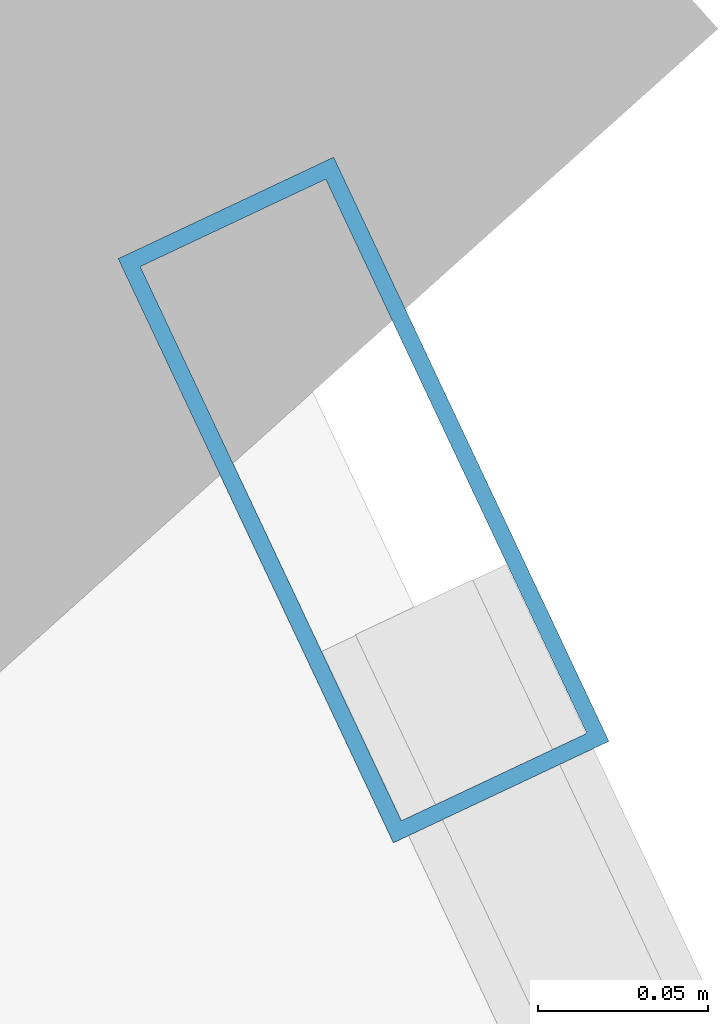
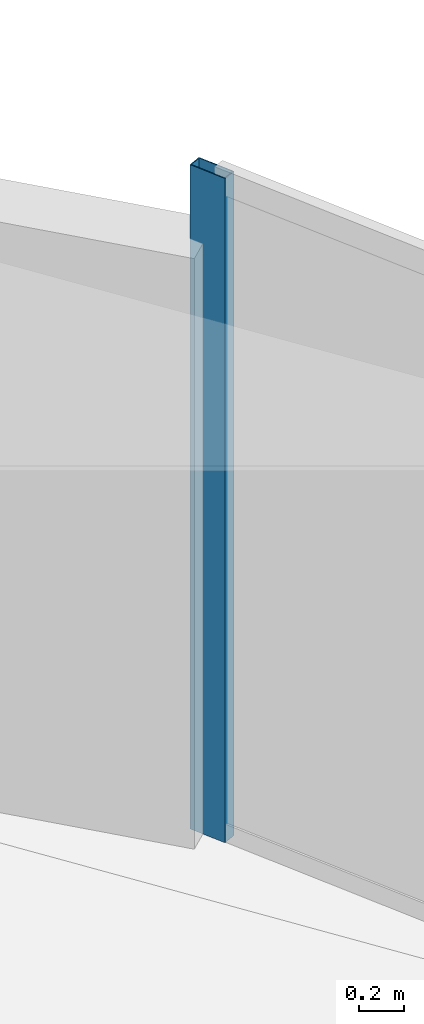
# One storey, part 17 of 24: 1 member, 1 element without a shape of its own.
"""IFC4 building model written with IfcOpenShell, lengths in metres."""

from ifc_helpers import new_model, si_unit, direction, frame, origin, origin_2d, place, context, subcontext, project, spatial, hollow_rectangle, extrude, source, transform, mapped, material, layer, layer_set, material_profile, profile_set, type_object, element, aggregate, save


model = new_model("IFC4")

# Units and contexts
model_context = context("Model", 3, precision=1e-05, world=origin(), true_north=direction((0.0, 1.0)))
body_context = subcontext(model_context, "Body", "Model", "MODEL_VIEW")
ifc_project = project(units=[si_unit("LENGTHUNIT", "METRE"), si_unit("AREAUNIT", "SQUARE_METRE"), si_unit("VOLUMEUNIT", "CUBIC_METRE"), si_unit("PLANEANGLEUNIT", "RADIAN"), si_unit("MASSUNIT", "GRAM", prefix="KILO")], contexts=[model_context])

# Site, building, storey
site_placement = place(None, origin())
site = spatial("IfcSite", under=ifc_project, at=site_placement, CompositionType="ELEMENT")
building_placement = place(site_placement, origin())
building = spatial("IfcBuilding", under=site, at=building_placement, Name="Solvirekh Grand Hotel", CompositionType="ELEMENT")
storey_placement = place(building_placement, frame((0.0, 0.0, 89.60009765625)))
storey = spatial("IfcBuildingStorey", under=building, at=storey_placement, Name="L22", CompositionType="ELEMENT", Elevation=89.60009765625)

# Curtain wall, member
ifc_material = material(Name="Anodized Bronze Aluminium 6063-T6", Category="aluminium")
ifc_layer = layer(ifc_material, 0.18994140625)
ifc_layer_set = layer_set([ifc_layer], Name="Anodized Bronze Aluminium 6063-T6")
curtain_wall_type = type_object("IfcCurtainWallType", Name="CW_Sys2_LowZoneFlushBronzeCW", PredefinedType="NOTDEFINED", material=ifc_layer_set)
curtain_wall_placement = place(storey_placement, origin())
curtain_wall = element("IfcCurtainWall", 1, at=curtain_wall_placement, inside=storey, type_object=curtain_wall_type, Name="L22 unitised bronze-glass curtain wall CW-L22-C03", PredefinedType="NOTDEFINED")
ifc_material_profile = material_profile(ifc_material, hollow_rectangle(XDim=0.070068359375, YDim=0.18994140625, WallThickness=0.0048828125, at=origin_2d()), Name="ALU RHS 190X70X5")
ifc_profile_set = profile_set([ifc_material_profile], Name="Anodized Bronze Aluminium 6063-T6")
member_type = type_object("IfcMemberType", Name="CWMullion_Sys2", PredefinedType="MULLION", material=ifc_profile_set)
shared_shape = source(origin(), body_context, "Body", "SweptSolid", [
    extrude(hollow_rectangle(XDim=0.070068359375, YDim=0.18994140625, WallThickness=0.0048828125, at=origin_2d()), origin(), (0.0, 0.0, 1.0), 3.599853515625),
])
member_placement = place(storey_placement, frame((23.16796875, 9.162353515625, 0.0), z_axis=(0.0, 0.0, 1.0), x_axis=(-0.904618589977, -0.426222015702, 0.0)))
member = element("IfcMember", 2, at=member_placement, type_object=member_type, Name="U02 mullion 3", PredefinedType="MULLION", context=body_context, shape_type="MappedRepresentation", body=[
    mapped(shared_shape, transform((0.0, 0.0, 0.0), x_axis=(1.0, 0.0, 0.0), y_axis=(0.0, 1.0, 0.0), z_axis=(0.0, 0.0, 1.0), scale=1.0)),
])
aggregate(curtain_wall, [member])

save(model, "model.ifc")
